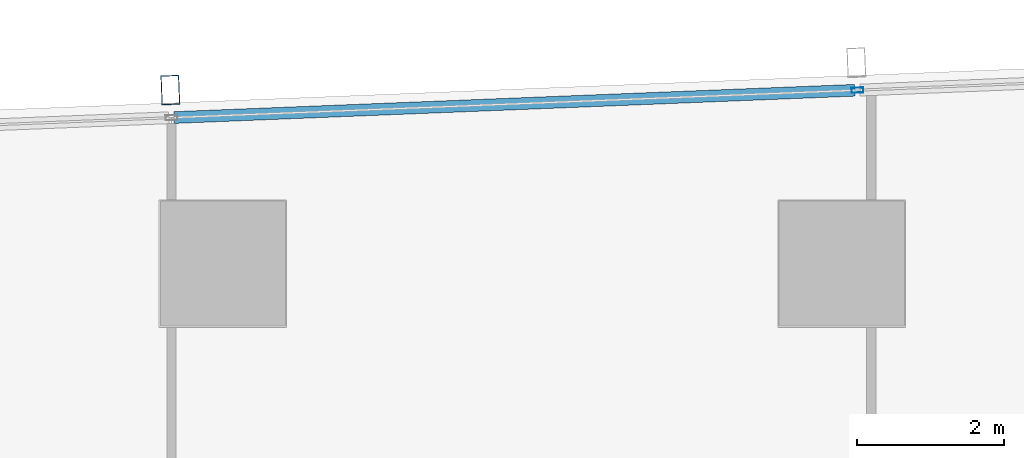
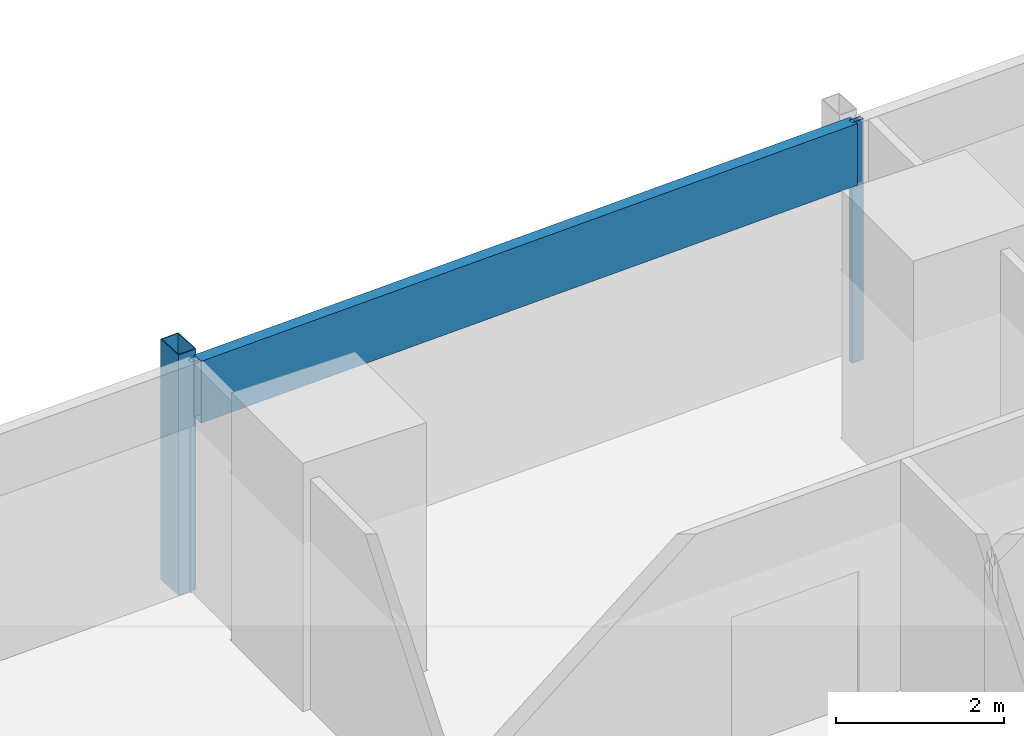
# One storey, part 16 of 40: 3 members, 1 element without a shape of its own.
"""IFC4 building model written with IfcOpenShell, lengths in metres."""

import ifcopenshell
import ifcopenshell.guid

model = None  # the IFC model being written
_history = None  # IfcOwnerHistory: only IFC2X3 demands one
_inside = {}  # id of a spatial element -> (the spatial element, [elements in it])
_under = {}  # id of a project, library or spatial element -> (it, [spatial elements below it])
_declared = {}  # id of a project -> (the project, [libraries it declares])
_typed = {}  # id of a type object -> (the type object, [elements of that type])
_made_of = {}  # id of a material, layer set ... -> (it, [elements and type objects made of it])


def new_model(schema):
    """Start an empty IFC model of exactly this schema.

    Asked for "IFC4X3", IfcOpenShell would pick the latest addendum, in which some entities
    have other attributes; the version numbers below select the first issue.
    IFC2X3 requires an IfcOwnerHistory on every rooted entity: one is made here for all.
    """
    global model, _history
    if schema == "IFC4X3":
        model = ifcopenshell.file(schema_version=(4, 3, 0, 0))
    else:
        model = ifcopenshell.file(schema=schema)
    _inside.clear()
    _under.clear()
    _declared.clear()
    _typed.clear()
    _made_of.clear()
    _history = None
    if model.schema == "IFC2X3":
        org = make("IfcOrganization", Name="unknown")
        user = make(
            "IfcPersonAndOrganization",
            ThePerson=make("IfcPerson", FamilyName="unknown"),
            TheOrganization=org,
        )
        app = make(
            "IfcApplication",
            ApplicationDeveloper=org,
            Version="unknown",
            ApplicationFullName="unknown",
            ApplicationIdentifier="unknown",
        )
        _history = make(
            "IfcOwnerHistory",
            OwningUser=user,
            OwningApplication=app,
            ChangeAction="ADDED",
            CreationDate=0,
        )
    return model


def make(cls, **values):
    """One entity of the class cls with the attributes given. An attribute that is None is left unset."""
    return model.create_entity(
        cls, **{name: value for name, value in values.items() if value is not None}
    )


def rooted(cls, **values):
    """An entity with a GlobalId (a new one), such as an element, a storey or a relation."""
    return make(cls, GlobalId=ifcopenshell.guid.new(), OwnerHistory=_history, **values)


def si_unit(unit_type, name, prefix=None):
    """IfcSIUnit, for example si_unit("LENGTHUNIT", "METRE", prefix="MILLI")."""
    return make("IfcSIUnit", UnitType=unit_type, Prefix=prefix, Name=name)


def assignment(units):
    """IfcUnitAssignment: the units of a project."""
    return None if units is None else make("IfcUnitAssignment", Units=units)


def point(xyz):
    """IfcCartesianPoint."""
    return None if xyz is None else make("IfcCartesianPoint", Coordinates=xyz)


def direction(xyz):
    """IfcDirection."""
    return None if xyz is None else make("IfcDirection", DirectionRatios=xyz)


def frame(location, z_axis=None, x_axis=None):
    """IfcAxis2Placement3D, a coordinate frame: its origin and axes. An axis left out is left unset."""
    return make(
        "IfcAxis2Placement3D",
        Location=point(location),
        Axis=direction(z_axis),
        RefDirection=direction(x_axis),
    )


def frame_2d(location, x_axis=None):
    """IfcAxis2Placement2D, a coordinate frame in the plane: its origin and x axis."""
    return make(
        "IfcAxis2Placement2D", Location=point(location), RefDirection=direction(x_axis)
    )


def origin():
    """The frame at (0, 0, 0) with its axes left unset."""
    return frame((0.0, 0.0, 0.0))


def origin_2d():
    """The frame at (0, 0) in the plane with its x axis left unset."""
    return frame_2d((0.0, 0.0))


def place(relative_to, where):
    """IfcLocalPlacement: puts the frame where relative to a parent placement (None: the world)."""
    return make(
        "IfcLocalPlacement", PlacementRelTo=relative_to, RelativePlacement=where
    )


def context(
    kind, dimensions, precision=None, world=None, true_north=None, identifier=None
):
    """IfcGeometricRepresentationContext, for example the 3D "Model" context."""
    return make(
        "IfcGeometricRepresentationContext",
        ContextIdentifier=identifier,
        ContextType=kind,
        CoordinateSpaceDimension=dimensions,
        Precision=precision,
        WorldCoordinateSystem=world,
        TrueNorth=true_north,
    )


def subcontext(parent, identifier, kind, view, scale=None):
    """IfcGeometricRepresentationSubContext, for example "Body" below "Model"."""
    return make(
        "IfcGeometricRepresentationSubContext",
        ContextIdentifier=identifier,
        ContextType=kind,
        ParentContext=parent,
        TargetScale=scale,
        TargetView=view,
    )


def project(units=None, contexts=None):
    """IfcProject with its units and contexts."""
    return rooted(
        "IfcProject",
        Name="project",
        RepresentationContexts=contexts,
        UnitsInContext=assignment(units),
    )


def spatial(cls, under=None, at=None, **own):
    """A site, building, storey or space (cls), placed at a placement, below another one or the project."""
    s = rooted(cls, ObjectPlacement=at, **own)
    if under is not None:
        _under.setdefault(under.id(), (under, []))[1].append(s)
    return s


def profile(cls, at=None, kind="AREA", **sizes):
    """A parametric profile (cls). Its sizes go by their IFC names, for example OverallWidth=200.0."""
    return make(cls, ProfileType=kind, Position=at, **sizes)


def hollow_rectangle(**sizes):
    """IfcRectangleHollowProfileDef."""
    return profile("IfcRectangleHollowProfileDef", **sizes)


def extrude(swept, where, along, depth):
    """IfcExtrudedAreaSolid: the profile swept, set in the frame where, extruded along a direction by depth."""
    return make(
        "IfcExtrudedAreaSolid",
        SweptArea=swept,
        Position=where,
        ExtrudedDirection=direction(along),
        Depth=depth,
    )


def shape(context_of_items, identifier, shape_type, items):
    """IfcShapeRepresentation: the items that make up one representation, for example the "Body"."""
    return make(
        "IfcShapeRepresentation",
        ContextOfItems=context_of_items,
        RepresentationIdentifier=identifier,
        RepresentationType=shape_type,
        Items=items,
    )


def material(Name=None, Category=None):
    """IfcMaterial."""
    return make("IfcMaterial", Name=Name, Category=Category)


def material_profile(
    of_material, cross_section, Name=None, Category=None, Priority=None
):
    """IfcMaterialProfile: a cross section and its material."""
    return make(
        "IfcMaterialProfile",
        Name=Name,
        Material=of_material,
        Profile=cross_section,
        Priority=Priority,
        Category=Category,
    )


def profile_set(profiles, Name=None, composite=None):
    """IfcMaterialProfileSet."""
    return make(
        "IfcMaterialProfileSet",
        Name=Name,
        MaterialProfiles=profiles,
        CompositeProfile=composite,
    )


def made_of(thing, what):
    """Note that an element or type object is made of a material, layer set ...; save() writes the relation."""
    if what is not None:
        _made_of.setdefault(what.id(), (what, []))[1].append(thing)
    return thing


def type_object(cls, material=None, **own):
    """A type object (cls), such as IfcWallType, which elements share."""
    return made_of(rooted(cls, **own), material)


def element(
    cls,
    number,
    at=None,
    inside=None,
    cuts=None,
    type_object=None,
    material=None,
    context=None,
    identifier="Body",
    shape_type=None,
    held_by="IfcProductDefinitionShape",
    body=None,
    shapes=None,
    **own,
):
    """One element of the class cls, such as IfcWall. Its Tag is "e" and its number.

    at: its placement. inside: the storey or other place that contains it. cuts: it is an
    opening in that element (IfcRelVoidsElement). A single representation is given by context,
    identifier, shape_type and body (its items); several are given by shapes. held_by: the class
    of the entity that holds the representations. save() writes the other relations.
    """
    e = rooted(cls, Tag="e%d" % number, ObjectPlacement=at, **own)
    if body is not None:
        shapes = [shape(context, identifier, shape_type, body)]
    if shapes is not None:
        e.Representation = make(held_by, Representations=shapes)
    if inside is not None:
        _inside.setdefault(inside.id(), (inside, []))[1].append(e)
    if cuts is not None:
        rooted(
            "IfcRelVoidsElement", RelatingBuildingElement=cuts, RelatedOpeningElement=e
        )
    if type_object is not None:
        _typed.setdefault(type_object.id(), (type_object, []))[1].append(e)
    return made_of(e, material)


def aggregate(whole, parts):
    """IfcRelAggregates: a whole, such as a stair, and the parts it consists of."""
    return rooted("IfcRelAggregates", RelatingObject=whole, RelatedObjects=parts)


def save(model, path):
    """Write the relations noted so far, then the file.

    IfcRelAggregates (storeys below a building ...), IfcRelContainedInSpatialStructure (elements
    in a storey), IfcRelDefinesByType, IfcRelAssociatesMaterial and IfcRelDeclares: one each for
    every whole, place, type object, material and project.
    """
    for whole, parts in _under.values():
        aggregate(whole, parts)
    for where, things in _inside.values():
        rooted(
            "IfcRelContainedInSpatialStructure",
            RelatedElements=things,
            RelatingStructure=where,
        )
    for kind, things in _typed.values():
        rooted("IfcRelDefinesByType", RelatedObjects=things, RelatingType=kind)
    for what, things in _made_of.values():
        rooted("IfcRelAssociatesMaterial", RelatedObjects=things, RelatingMaterial=what)
    for by, libraries in _declared.values():
        rooted("IfcRelDeclares", RelatingContext=by, RelatedDefinitions=libraries)
    model.write(path)


model = new_model("IFC4")

# Units and contexts
model_context = context("Model", 3, precision=1e-05, world=origin(), true_north=direction((0.0, 1.0)))
body_context = subcontext(model_context, "Body", "Model", "MODEL_VIEW")
ifc_project = project(units=[si_unit("LENGTHUNIT", "METRE"), si_unit("AREAUNIT", "SQUARE_METRE"), si_unit("VOLUMEUNIT", "CUBIC_METRE"), si_unit("PLANEANGLEUNIT", "RADIAN"), si_unit("MASSUNIT", "GRAM", prefix="KILO")], contexts=[model_context])

# Site, building, storey
site_placement = place(None, origin())
site = spatial("IfcSite", under=ifc_project, at=site_placement, CompositionType="ELEMENT")
building_placement = place(site_placement, origin())
building = spatial("IfcBuilding", under=site, at=building_placement, Name="Rekha Terrace Tower", CompositionType="ELEMENT")
storey_placement = place(building_placement, frame((0.0, 0.0, 99.050048828125)))
storey = spatial("IfcBuildingStorey", under=building, at=storey_placement, Name="L24", CompositionType="ELEMENT", Elevation=99.050048828125)

# Curtain wall, members
ifc_material_1 = material(Name="Aluminium framing", Category="aluminium")
curtain_wall_type = type_object("IfcCurtainWallType", Name="CW3 north unitised glazing", PredefinedType="USERDEFINED", material=ifc_material_1)
curtain_wall_placement = place(storey_placement, origin())
curtain_wall = element("IfcCurtainWall", 1, at=curtain_wall_placement, inside=storey, type_object=curtain_wall_type, Name="CW3 unitised curtain wall", ObjectType="UNITISED CURTAIN WALL", PredefinedType="USERDEFINED")
ifc_material_2 = material(Name="Steel S355 with fluorocarbon finish", Category="steel")
ifc_material_profile_1 = material_profile(ifc_material_2, hollow_rectangle(XDim=0.25, YDim=0.39990234375, WallThickness=0.012451171875, at=origin_2d()), Name="RHS400x250x12.5")
ifc_profile_set_1 = profile_set([ifc_material_profile_1], Name="Steel S355 with fluorocarbon finish")
member_type_1 = type_object("IfcMemberType", Name="BL1 facade blade RHS 400 x 250", PredefinedType="USERDEFINED", material=ifc_profile_set_1)
member_1_placement = place(storey_placement, frame((16.0869140625, 61.1552734375, 0.0), z_axis=(0.0, 0.0, 1.0), x_axis=(-0.999198382632, -0.040032388711, 0.0)))
member_1 = element("IfcMember", 2, at=member_1_placement, type_object=member_type_1, Name="Facade blade", ObjectType="FACADE BLADE", PredefinedType="USERDEFINED", context=body_context, shape_type="SweptSolid", body=[
    extrude(hollow_rectangle(XDim=0.25, YDim=0.39990234375, WallThickness=0.012451171875, at=origin_2d()), origin(), (0.0, 0.0, 1.0), 3.5),
])
ifc_material_3 = material(Name="Aluminium mullion section", Category="aluminium")
ifc_material_profile_2 = material_profile(ifc_material_3, hollow_rectangle(XDim=0.070068359375, YDim=0.159912109375, WallThickness=0.00390625, at=origin_2d()), Name="AL RHS 70x160")
ifc_profile_set_2 = profile_set([ifc_material_profile_2], Name="Aluminium mullion section")
member_type_2 = type_object("IfcMemberType", Name="CW3 mullion RHS 70 x 160", PredefinedType="MULLION", material=ifc_profile_set_2)
member_2_placement = place(storey_placement, frame((25.413818359375, 61.153564453125, 0.0), z_axis=(0.0, 0.0, 1.0), x_axis=(0.040031987119, -0.999198398721, 0.0)))
member_2 = element("IfcMember", 3, at=member_2_placement, type_object=member_type_2, Name="CW3 mullion 3", PredefinedType="MULLION", context=body_context, shape_type="SweptSolid", body=[
    extrude(hollow_rectangle(XDim=0.070068359375, YDim=0.159912109375, WallThickness=0.00390625, at=origin_2d()), origin(), (0.0, 0.0, 1.0), 3.5),
])
ifc_material_4 = material(Name="Insulated aluminium spandrel box", Category="aluminium")
ifc_material_profile_3 = material_profile(ifc_material_4, hollow_rectangle(XDim=0.159912109375, YDim=0.89990234375, WallThickness=0.0029296875, at=origin_2d()), Name="AL SPANDREL BOX 160x900")
ifc_profile_set_3 = profile_set([ifc_material_profile_3], Name="Insulated aluminium spandrel box")
member_type_3 = type_object("IfcMemberType", Name="CW3 spandrel transom 160 x 900", PredefinedType="USERDEFINED", material=ifc_profile_set_3)
member_3_placement = place(storey_placement, frame((25.37890625, 61.152099609375, 3.050048828125), z_axis=(-0.999199102424, -0.040014418831, 0.0), x_axis=(0.040014418831, -0.999199102424, 0.0)))
member_3 = element("IfcMember", 4, at=member_3_placement, type_object=member_type_3, Name="CW3 spandrel transom 3", ObjectType="TRANSOM", PredefinedType="USERDEFINED", context=body_context, shape_type="SweptSolid", body=[
    extrude(hollow_rectangle(XDim=0.159912109375, YDim=0.89990234375, WallThickness=0.0029296875, at=origin_2d()), origin(), (0.0, 0.0, 1.0), 9.24951171875),
])
aggregate(curtain_wall, [member_2, member_3, member_1])

save(model, "model.ifc")
